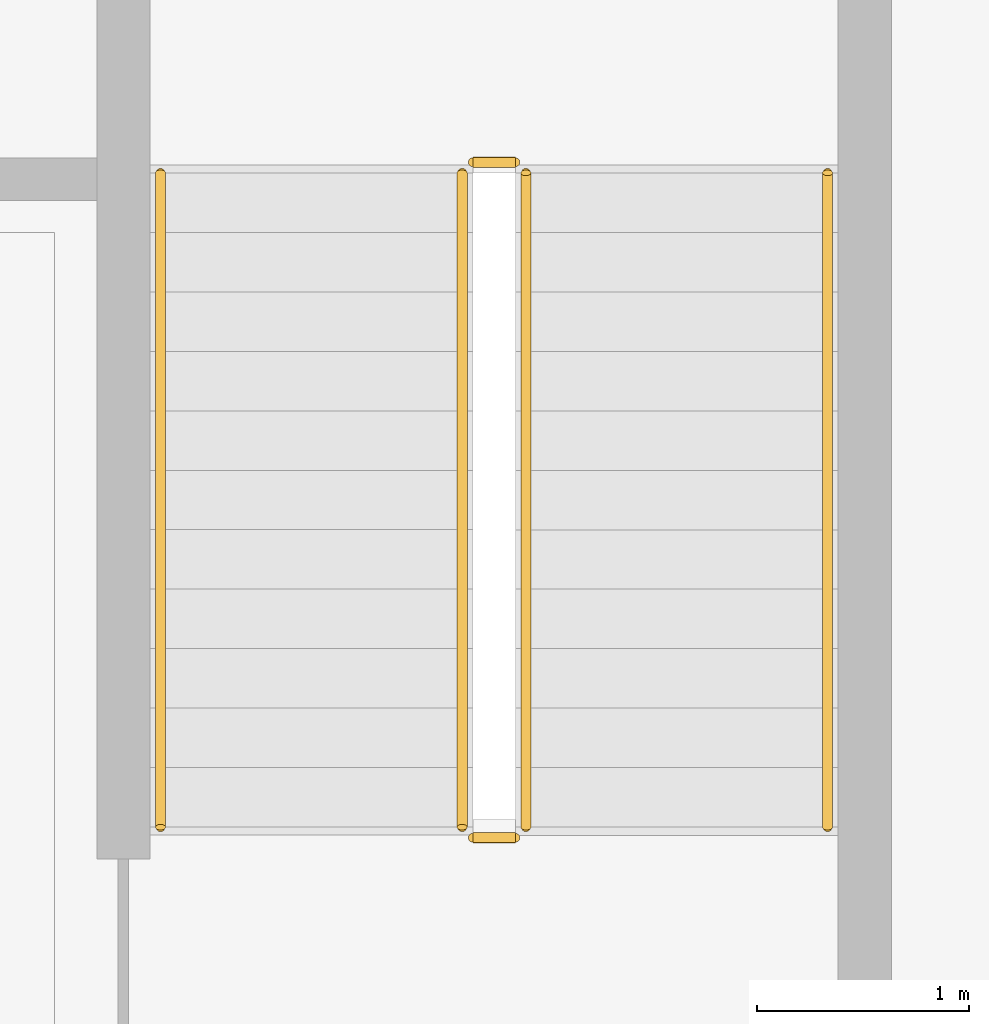
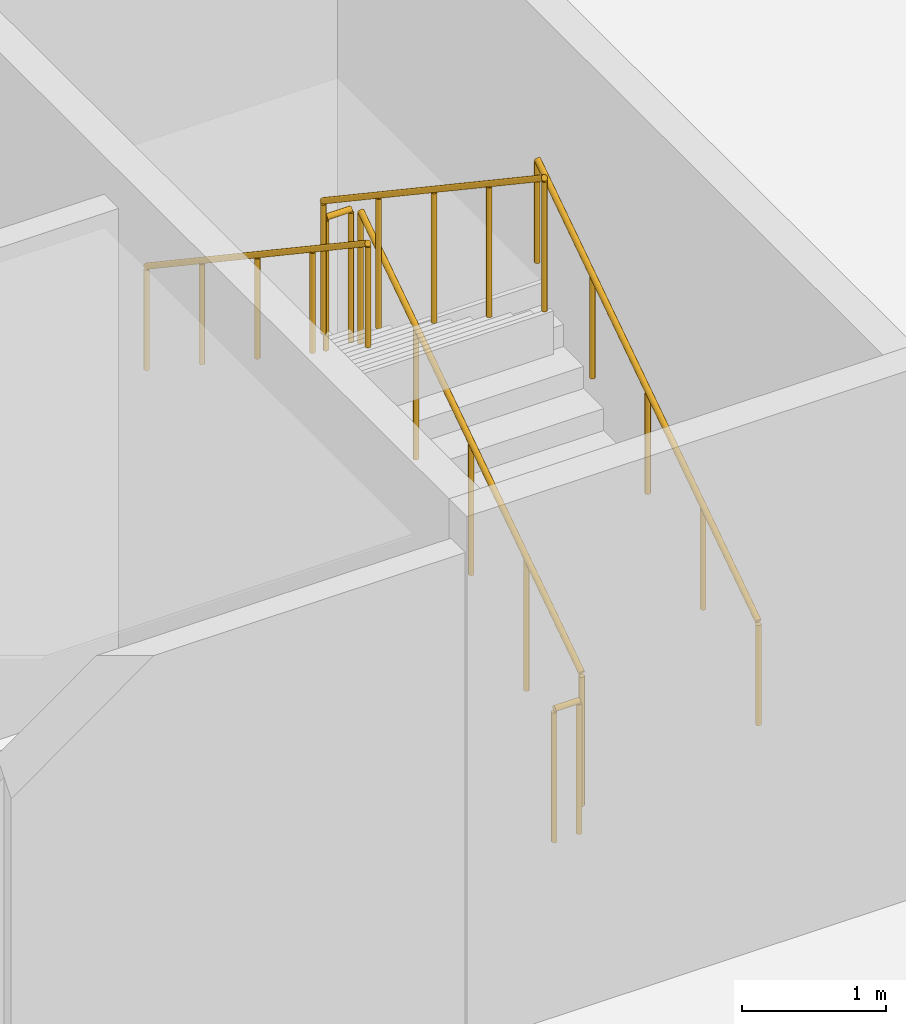
# One storey, part 39 of 40: 6 railings.
"""IFC4 building model written with IfcOpenShell, lengths in metres."""

from ifc_helpers import new_model, si_unit, direction, frame, origin, origin_2d, place, context, subcontext, project, spatial, circle, extrude, material, type_object, element, save


model = new_model("IFC4")

# Units and contexts
model_context = context("Model", 3, precision=1e-05, world=origin(), true_north=direction((0.0, 1.0)))
body_context = subcontext(model_context, "Body", "Model", "MODEL_VIEW")
ifc_project = project(units=[si_unit("LENGTHUNIT", "METRE"), si_unit("AREAUNIT", "SQUARE_METRE"), si_unit("VOLUMEUNIT", "CUBIC_METRE"), si_unit("PLANEANGLEUNIT", "RADIAN"), si_unit("MASSUNIT", "GRAM", prefix="KILO")], contexts=[model_context])

# Site, building, storey
site_placement = place(None, origin())
site = spatial("IfcSite", under=ifc_project, at=site_placement, CompositionType="ELEMENT")
building_placement = place(site_placement, origin())
building = spatial("IfcBuilding", under=site, at=building_placement, Name="Korimba Cascade Residences", CompositionType="ELEMENT")
storey_placement = place(building_placement, frame((0.0, 0.0, 14.5)))
storey = spatial("IfcBuildingStorey", under=building, at=storey_placement, Name="L03", CompositionType="ELEMENT", Elevation=14.5)

# Railings
ifc_material_1 = material(Name="Painted Steel Stairwell Guardrail", Category="steel")
railing_type_1 = type_object("IfcRailingType", Name="RLG-ST-GD1150", PredefinedType="GUARDRAIL", material=ifc_material_1)
railing_1_placement = place(storey_placement, frame((136.27001953125, 44.64990234375, 0.1875)))
element("IfcRailing", 1, at=railing_1_placement, inside=storey, type_object=railing_type_1, Name="L03 ST-P2 stair guard 1", PredefinedType="GUARDRAIL", context=body_context, shape_type="SweptSolid", body=[
    extrude(circle(Radius=0.02392578125, at=origin_2d()), frame((0.0, 0.0, 1.1259765625), z_axis=(0.0, 0.830913701846, 0.55640131208), x_axis=(-1.0, 0.0, 0.0)), (0.0, 0.0, 1.0), 3.706787109375),
    extrude(circle(Radius=0.02099609375, at=origin_2d()), origin(), (0.0, 0.0, 1.0), 1.101806640625),
    extrude(circle(Radius=0.02099609375, at=origin_2d()), frame((0.0, 0.77001953125, 0.515625)), (0.0, 0.0, 1.0), 1.101806640625),
    extrude(circle(Radius=0.02099609375, at=origin_2d()), frame((0.0, 1.5400390625, 1.03125)), (0.0, 0.0, 1.0), 1.101806640625),
    extrude(circle(Radius=0.02099609375, at=origin_2d()), frame((0.0, 2.31005859375, 1.546875)), (0.0, 0.0, 1.0), 1.101806640625),
    extrude(circle(Radius=0.02099609375, at=origin_2d()), frame((0.0, 3.080078125, 2.0625)), (0.0, 0.0, 1.0), 1.101806640625),
])
railing_2_placement = place(storey_placement, frame((136.219970703125, 47.780029296875, 2.25)))
element("IfcRailing", 2, at=railing_2_placement, inside=storey, type_object=railing_type_1, Name="L03 ST-P2 stair guard 2", PredefinedType="GUARDRAIL", context=body_context, shape_type="SweptSolid", body=[
    extrude(circle(Radius=0.02392578125, at=origin_2d()), frame((0.0, 0.0, 1.1259765625), z_axis=(-1.0, 0.0, 0.0), x_axis=(0.0, -1.0, 0.0)), (0.0, 0.0, 1.0), 0.199951171875),
    extrude(circle(Radius=0.02099609375, at=origin_2d()), origin(), (0.0, 0.0, 1.0), 1.101806640625),
    extrude(circle(Radius=0.02099609375, at=origin_2d()), frame((-0.199951171875, 0.0, 0.0)), (0.0, 0.0, 1.0), 1.101806640625),
])
railing_3_placement = place(storey_placement, frame((135.969970703125, 47.72998046875, 2.4375)))
element("IfcRailing", 3, at=railing_3_placement, inside=storey, type_object=railing_type_1, Name="L03 ST-P2 stair guard 3", PredefinedType="GUARDRAIL", context=body_context, shape_type="SweptSolid", body=[
    extrude(circle(Radius=0.02392578125, at=origin_2d()), frame((0.0, 0.0, 1.1259765625), z_axis=(0.0, -0.830913701846, 0.55640131208), x_axis=(1.0, 0.0, 0.0)), (0.0, 0.0, 1.0), 3.706787109375),
    extrude(circle(Radius=0.02099609375, at=origin_2d()), origin(), (0.0, 0.0, 1.0), 1.101806640625),
    extrude(circle(Radius=0.02099609375, at=origin_2d()), frame((0.0, -0.77001953125, 0.515625)), (0.0, 0.0, 1.0), 1.101806640625),
    extrude(circle(Radius=0.02099609375, at=origin_2d()), frame((0.0, -1.5400390625, 1.03125)), (0.0, 0.0, 1.0), 1.101806640625),
    extrude(circle(Radius=0.02099609375, at=origin_2d()), frame((0.0, -2.31005859375, 1.546875)), (0.0, 0.0, 1.0), 1.101806640625),
    extrude(circle(Radius=0.02099609375, at=origin_2d()), frame((0.0, -3.080078125, 2.0625)), (0.0, 0.0, 1.0), 1.101806640625),
])
railing_4_placement = place(storey_placement, frame((136.219970703125, 44.60009765625, 0.0)))
element("IfcRailing", 4, at=railing_4_placement, inside=storey, type_object=railing_type_1, Name="L03 ST-P2 stair guard 4", PredefinedType="GUARDRAIL", context=body_context, shape_type="SweptSolid", body=[
    extrude(circle(Radius=0.02392578125, at=origin_2d()), frame((0.0, 0.0, 1.1259765625), z_axis=(-1.0, 0.0, 0.0), x_axis=(0.0, -1.0, 0.0)), (0.0, 0.0, 1.0), 0.199951171875),
    extrude(circle(Radius=0.02099609375, at=origin_2d()), origin(), (0.0, 0.0, 1.0), 1.101806640625),
    extrude(circle(Radius=0.02099609375, at=origin_2d()), frame((-0.199951171875, 0.0, 0.0)), (0.0, 0.0, 1.0), 1.101806640625),
])
ifc_material_2 = material(Name="Brushed Stainless Steel Handrail", Category="steel")
railing_type_2 = type_object("IfcRailingType", Name="RLG-ST-HR900", PredefinedType="HANDRAIL", material=ifc_material_2)
railing_5_placement = place(storey_placement, frame((137.68994140625, 44.64990234375, 0.379150390625)))
element("IfcRailing", 5, at=railing_5_placement, inside=storey, type_object=railing_type_2, Name="L03 ST-P2 stair handrail 1", PredefinedType="HANDRAIL", context=body_context, shape_type="SweptSolid", body=[
    extrude(circle(Radius=0.02392578125, at=origin_2d()), frame((0.0, 0.0, 0.8759765625), z_axis=(0.0, 0.830913701846, 0.55640131208), x_axis=(-1.0, 0.0, 0.0)), (0.0, 0.0, 1.0), 3.706787109375),
    extrude(circle(Radius=0.02099609375, at=origin_2d()), origin(), (0.0, 0.0, 1.0), 0.851806640625),
    extrude(circle(Radius=0.02099609375, at=origin_2d()), frame((0.0, 0.77001953125, 0.515625)), (0.0, 0.0, 1.0), 0.851806640625),
    extrude(circle(Radius=0.02099609375, at=origin_2d()), frame((0.0, 1.5400390625, 1.03125)), (0.0, 0.0, 1.0), 0.851806640625),
    extrude(circle(Radius=0.02099609375, at=origin_2d()), frame((0.0, 2.31005859375, 1.546875)), (0.0, 0.0, 1.0), 0.851806640625),
    extrude(circle(Radius=0.02099609375, at=origin_2d()), frame((0.0, 3.080078125, 2.0625)), (0.0, 0.0, 1.0), 0.851806640625),
])
railing_6_placement = place(storey_placement, frame((134.550048828125, 47.72998046875, 2.629150390625)))
element("IfcRailing", 6, at=railing_6_placement, inside=storey, type_object=railing_type_2, Name="L03 ST-P2 stair handrail 2", PredefinedType="HANDRAIL", context=body_context, shape_type="SweptSolid", body=[
    extrude(circle(Radius=0.02392578125, at=origin_2d()), frame((0.0, 0.0, 0.8759765625), z_axis=(0.0, -0.830913701846, 0.55640131208), x_axis=(1.0, 0.0, 0.0)), (0.0, 0.0, 1.0), 3.706787109375),
    extrude(circle(Radius=0.02099609375, at=origin_2d()), origin(), (0.0, 0.0, 1.0), 0.851806640625),
    extrude(circle(Radius=0.02099609375, at=origin_2d()), frame((0.0, -0.77001953125, 0.515625)), (0.0, 0.0, 1.0), 0.851806640625),
    extrude(circle(Radius=0.02099609375, at=origin_2d()), frame((0.0, -1.5400390625, 1.03125)), (0.0, 0.0, 1.0), 0.851806640625),
    extrude(circle(Radius=0.02099609375, at=origin_2d()), frame((0.0, -2.31005859375, 1.546875)), (0.0, 0.0, 1.0), 0.851806640625),
    extrude(circle(Radius=0.02099609375, at=origin_2d()), frame((0.0, -3.080078125, 2.0625)), (0.0, 0.0, 1.0), 0.851806640625),
])

save(model, "model.ifc")
